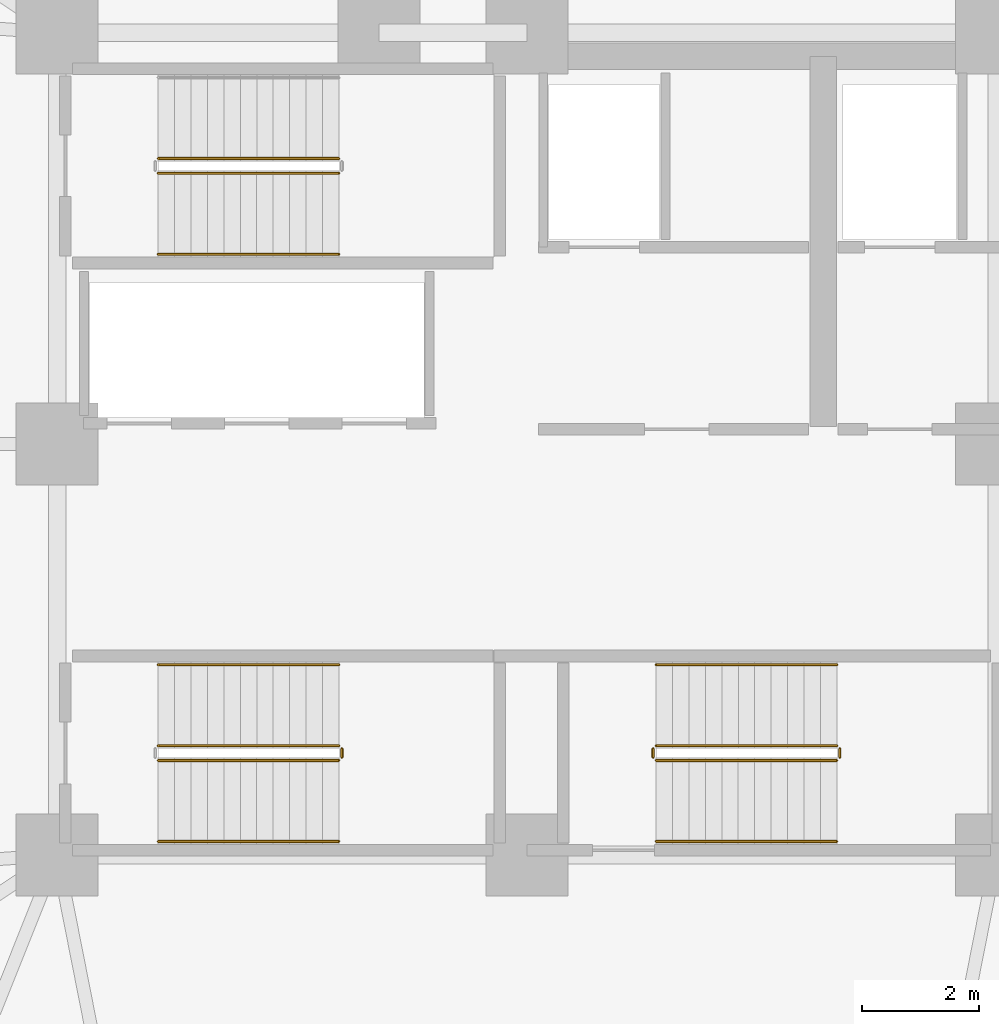
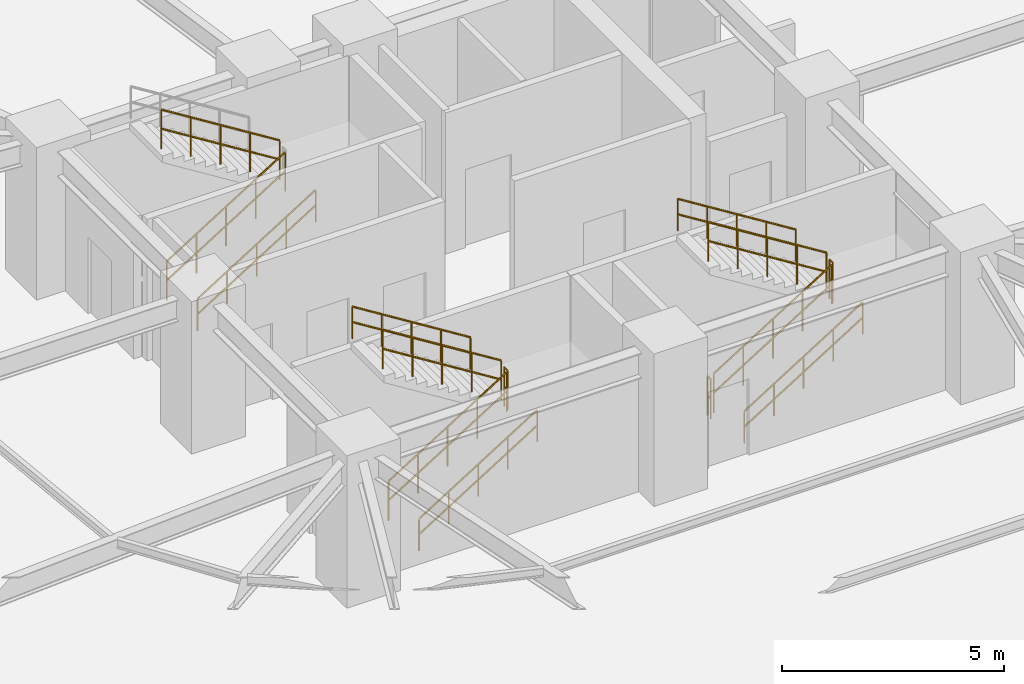
# One storey, part 18 of 20: 14 railings.
"""IFC4 building model written with IfcOpenShell, lengths in metres."""

from ifc_helpers import new_model, si_unit, direction, frame, origin, place, context, subcontext, project, spatial, polyline, outline, extrude, material, type_object, element, save


model = new_model("IFC4")

# Units and contexts
model_context = context("Model", 3, precision=1e-05, world=origin(), true_north=direction((0.0, 1.0)))
body_context = subcontext(model_context, "Body", "Model", "MODEL_VIEW")
ifc_project = project(units=[si_unit("LENGTHUNIT", "METRE"), si_unit("AREAUNIT", "SQUARE_METRE"), si_unit("VOLUMEUNIT", "CUBIC_METRE"), si_unit("PLANEANGLEUNIT", "RADIAN"), si_unit("MASSUNIT", "GRAM", prefix="KILO")], contexts=[model_context])

# Site, building, storey
site_placement = place(None, origin())
site = spatial("IfcSite", under=ifc_project, at=site_placement, CompositionType="ELEMENT")
building_placement = place(site_placement, origin())
building = spatial("IfcBuilding", under=site, at=building_placement, Name="Kelanora Arch Commons", CompositionType="ELEMENT")
storey_placement = place(building_placement, frame((0.0, 0.0, -4.199951171875)))
storey = spatial("IfcBuildingStorey", under=building, at=storey_placement, Name="B01", CompositionType="ELEMENT", Elevation=-4.199951171875)

# Railings
ifc_material_1 = material(Name="Painted steel stair well guard", Category="steel")
railing_type_1 = type_object("IfcRailingType", Name="RAIL-STAIR-GRD", PredefinedType="GUARDRAIL", material=ifc_material_1)
railing_1_placement = place(storey_placement, frame((67.719970703125, 62.610107421875, 0.175048828125)))
element("IfcRailing", 1, at=railing_1_placement, inside=storey, type_object=railing_type_1, Name="B01 ST-T1 stair guard 1", PredefinedType="GUARDRAIL", context=body_context, shape_type="SweptSolid", body=[
    extrude(outline(polyline([(0.02392578125, 0.0), (0.011962890625, 0.020751953125), (-0.011962890625, 0.020751953125), (-0.02392578125, 0.0), (-0.011962890625, -0.020751953125), (0.011962890625, -0.020751953125), (0.02392578125, 0.0)])), frame((0.0, 0.0, 1.076171875), z_axis=(0.848028513186, 0.0, 0.529950602248), x_axis=(0.0, 1.0, 0.0)), (0.0, 0.0, 1.0), 3.632080078125),
    extrude(outline(polyline([(0.02392578125, 0.0), (0.011962890625, 0.020751953125), (-0.011962890625, 0.020751953125), (-0.02392578125, 0.0), (-0.011962890625, -0.020751953125), (0.011962890625, -0.020751953125), (0.02392578125, 0.0)])), frame((0.0, 0.0, 0.550048828125), z_axis=(0.848028513186, 0.0, 0.529950602248), x_axis=(0.0, 1.0, 0.0)), (0.0, 0.0, 1.0), 3.632080078125),
    extrude(outline(polyline([(0.02099609375, 0.0), (0.010498046875, 0.01806640625), (-0.010498046875, 0.01806640625), (-0.02099609375, 0.0), (-0.010498046875, -0.01806640625), (0.010498046875, -0.01806640625), (0.02099609375, 0.0)])), origin(), (0.0, 0.0, 1.0), 1.052001953125),
    extrude(outline(polyline([(0.02099609375, 0.0), (0.010498046875, 0.01806640625), (-0.010498046875, 0.01806640625), (-0.02099609375, 0.0), (-0.010498046875, -0.01806640625), (0.010498046875, -0.01806640625), (0.02099609375, 0.0)])), frame((0.77001953125, 0.0, 0.481201171875)), (0.0, 0.0, 1.0), 1.052001953125),
    extrude(outline(polyline([(0.02099609375, 0.0), (0.010498046875, 0.01806640625), (-0.010498046875, 0.01806640625), (-0.02099609375, 0.0), (-0.010498046875, -0.01806640625), (0.010498046875, -0.01806640625), (0.02099609375, 0.0)])), frame((1.5400390625, 0.0, 0.96240234375)), (0.0, 0.0, 1.0), 1.052001953125),
    extrude(outline(polyline([(0.02099609375, 0.0), (0.010498046875, 0.01806640625), (-0.010498046875, 0.01806640625), (-0.02099609375, 0.0), (-0.010498046875, -0.01806640625), (0.010498046875, -0.01806640625), (0.02099609375, 0.0)])), frame((2.31005859375, 0.0, 1.443603515625)), (0.0, 0.0, 1.0), 1.052001953125),
    extrude(outline(polyline([(0.02099609375, 0.0), (0.010498046875, 0.01806640625), (-0.010498046875, 0.01806640625), (-0.02099609375, 0.0), (-0.010498046875, -0.01806640625), (0.010498046875, -0.01806640625), (0.02099609375, 0.0)])), frame((3.080078125, 0.0, 1.9248046875)), (0.0, 0.0, 1.0), 1.052001953125),
])
railing_2_placement = place(storey_placement, frame((70.800048828125, 62.860107421875, 2.27490234375)))
element("IfcRailing", 2, at=railing_2_placement, inside=storey, type_object=railing_type_1, Name="B01 ST-T1 stair guard 3", PredefinedType="GUARDRAIL", context=body_context, shape_type="SweptSolid", body=[
    extrude(outline(polyline([(0.02392578125, 0.0), (0.011962890625, 0.020751953125), (-0.011962890625, 0.020751953125), (-0.02392578125, 0.0), (-0.011962890625, -0.020751953125), (0.011962890625, -0.020751953125), (0.02392578125, 0.0)])), frame((0.0, 0.0, 1.076171875), z_axis=(-0.847998304005, 0.0, 0.529998940003), x_axis=(0.0, -1.0, 0.0)), (0.0, 0.0, 1.0), 3.632080078125),
    extrude(outline(polyline([(0.02392578125, 0.0), (0.011962890625, 0.020751953125), (-0.011962890625, 0.020751953125), (-0.02392578125, 0.0), (-0.011962890625, -0.020751953125), (0.011962890625, -0.020751953125), (0.02392578125, 0.0)])), frame((0.0, 0.0, 0.550048828125), z_axis=(-0.847998304005, 0.0, 0.529998940003), x_axis=(0.0, -1.0, 0.0)), (0.0, 0.0, 1.0), 3.632080078125),
    extrude(outline(polyline([(0.02099609375, 0.0), (0.010498046875, 0.01806640625), (-0.010498046875, 0.01806640625), (-0.02099609375, 0.0), (-0.010498046875, -0.01806640625), (0.010498046875, -0.01806640625), (0.02099609375, 0.0)])), origin(), (0.0, 0.0, 1.0), 1.052001953125),
    extrude(outline(polyline([(0.02099609375, 0.0), (0.010498046875, 0.01806640625), (-0.010498046875, 0.01806640625), (-0.02099609375, 0.0), (-0.010498046875, -0.01806640625), (0.010498046875, -0.01806640625), (0.02099609375, 0.0)])), frame((-0.77001953125, 0.0, 0.481201171875)), (0.0, 0.0, 1.0), 1.052001953125),
    extrude(outline(polyline([(0.02099609375, 0.0), (0.010498046875, 0.01806640625), (-0.010498046875, 0.01806640625), (-0.02099609375, 0.0), (-0.010498046875, -0.01806640625), (0.010498046875, -0.01806640625), (0.02099609375, 0.0)])), frame((-1.5400390625, 0.0, 0.96240234375)), (0.0, 0.0, 1.0), 1.052001953125),
    extrude(outline(polyline([(0.02099609375, 0.0), (0.010498046875, 0.01806640625), (-0.010498046875, 0.01806640625), (-0.02099609375, 0.0), (-0.010498046875, -0.01806640625), (0.010498046875, -0.01806640625), (0.02099609375, 0.0)])), frame((-2.31005859375, 0.0, 1.44384765625)), (0.0, 0.0, 1.0), 1.052001953125),
    extrude(outline(polyline([(0.02099609375, 0.0), (0.010498046875, 0.01806640625), (-0.010498046875, 0.01806640625), (-0.02099609375, 0.0), (-0.010498046875, -0.01806640625), (0.010498046875, -0.01806640625), (0.02099609375, 0.0)])), frame((-3.080078125, 0.0, 1.925048828125)), (0.0, 0.0, 1.0), 1.052001953125),
])
railing_3_placement = place(storey_placement, frame((76.199951171875, 52.610107421875, 0.175048828125)))
element("IfcRailing", 3, at=railing_3_placement, inside=storey, type_object=railing_type_1, Name="B01 ST-T2 stair guard 1", PredefinedType="GUARDRAIL", context=body_context, shape_type="SweptSolid", body=[
    extrude(outline(polyline([(0.02392578125, 0.0), (0.011962890625, 0.020751953125), (-0.011962890625, 0.020751953125), (-0.02392578125, 0.0), (-0.011962890625, -0.020751953125), (0.011962890625, -0.020751953125), (0.02392578125, 0.0)])), frame((0.0, 0.0, 1.076171875), z_axis=(0.848028513186, 0.0, 0.529950602248), x_axis=(0.0, 1.0, 0.0)), (0.0, 0.0, 1.0), 3.632080078125),
    extrude(outline(polyline([(0.02392578125, 0.0), (0.011962890625, 0.020751953125), (-0.011962890625, 0.020751953125), (-0.02392578125, 0.0), (-0.011962890625, -0.020751953125), (0.011962890625, -0.020751953125), (0.02392578125, 0.0)])), frame((0.0, 0.0, 0.550048828125), z_axis=(0.848028513186, 0.0, 0.529950602248), x_axis=(0.0, 1.0, 0.0)), (0.0, 0.0, 1.0), 3.632080078125),
    extrude(outline(polyline([(0.02099609375, 0.0), (0.010498046875, 0.01806640625), (-0.010498046875, 0.01806640625), (-0.02099609375, 0.0), (-0.010498046875, -0.01806640625), (0.010498046875, -0.01806640625), (0.02099609375, 0.0)])), origin(), (0.0, 0.0, 1.0), 1.052001953125),
    extrude(outline(polyline([(0.02099609375, 0.0), (0.010498046875, 0.01806640625), (-0.010498046875, 0.01806640625), (-0.02099609375, 0.0), (-0.010498046875, -0.01806640625), (0.010498046875, -0.01806640625), (0.02099609375, 0.0)])), frame((0.77001953125, 0.0, 0.481201171875)), (0.0, 0.0, 1.0), 1.052001953125),
    extrude(outline(polyline([(0.02099609375, 0.0), (0.010498046875, 0.01806640625), (-0.010498046875, 0.01806640625), (-0.02099609375, 0.0), (-0.010498046875, -0.01806640625), (0.010498046875, -0.01806640625), (0.02099609375, 0.0)])), frame((1.5400390625, 0.0, 0.96240234375)), (0.0, 0.0, 1.0), 1.052001953125),
    extrude(outline(polyline([(0.02099609375, 0.0), (0.010498046875, 0.01806640625), (-0.010498046875, 0.01806640625), (-0.02099609375, 0.0), (-0.010498046875, -0.01806640625), (0.010498046875, -0.01806640625), (0.02099609375, 0.0)])), frame((2.31005859375, 0.0, 1.443603515625)), (0.0, 0.0, 1.0), 1.052001953125),
    extrude(outline(polyline([(0.02099609375, 0.0), (0.010498046875, 0.01806640625), (-0.010498046875, 0.01806640625), (-0.02099609375, 0.0), (-0.010498046875, -0.01806640625), (0.010498046875, -0.01806640625), (0.02099609375, 0.0)])), frame((3.080078125, 0.0, 1.9248046875)), (0.0, 0.0, 1.0), 1.052001953125),
])
railing_4_placement = place(storey_placement, frame((79.330078125, 52.659912109375, 2.099853515625)))
element("IfcRailing", 4, at=railing_4_placement, inside=storey, type_object=railing_type_1, Name="B01 ST-T2 stair guard 2", PredefinedType="GUARDRAIL", context=body_context, shape_type="SweptSolid", body=[
    extrude(outline(polyline([(0.02392578125, 0.0), (0.011962890625, 0.020751953125), (-0.011962890625, 0.020751953125), (-0.02392578125, 0.0), (-0.011962890625, -0.020751953125), (0.011962890625, -0.020751953125), (0.02392578125, 0.0)])), frame((0.0, 0.0, 1.076171875), z_axis=(0.0, 1.0, 0.0), x_axis=(-1.0, 0.0, 0.0)), (0.0, 0.0, 1.0), 0.150146484375),
    extrude(outline(polyline([(0.02392578125, 0.0), (0.011962890625, 0.020751953125), (-0.011962890625, 0.020751953125), (-0.02392578125, 0.0), (-0.011962890625, -0.020751953125), (0.011962890625, -0.020751953125), (0.02392578125, 0.0)])), frame((0.0, 0.0, 0.550048828125), z_axis=(0.0, 1.0, 0.0), x_axis=(-1.0, 0.0, 0.0)), (0.0, 0.0, 1.0), 0.150146484375),
    extrude(outline(polyline([(0.02099609375, 0.0), (0.010498046875, 0.01806640625), (-0.010498046875, 0.01806640625), (-0.02099609375, 0.0), (-0.010498046875, -0.01806640625), (0.010498046875, -0.01806640625), (0.02099609375, 0.0)])), origin(), (0.0, 0.0, 1.0), 1.052001953125),
    extrude(outline(polyline([(0.02099609375, 0.0), (0.010498046875, 0.01806640625), (-0.010498046875, 0.01806640625), (-0.02099609375, 0.0), (-0.010498046875, -0.01806640625), (0.010498046875, -0.01806640625), (0.02099609375, 0.0)])), frame((0.0, 0.150146484375, 0.0)), (0.0, 0.0, 1.0), 1.052001953125),
])
railing_5_placement = place(storey_placement, frame((79.280029296875, 52.860107421875, 2.27490234375)))
element("IfcRailing", 5, at=railing_5_placement, inside=storey, type_object=railing_type_1, Name="B01 ST-T2 stair guard 3", PredefinedType="GUARDRAIL", context=body_context, shape_type="SweptSolid", body=[
    extrude(outline(polyline([(0.02392578125, 0.0), (0.011962890625, 0.020751953125), (-0.011962890625, 0.020751953125), (-0.02392578125, 0.0), (-0.011962890625, -0.020751953125), (0.011962890625, -0.020751953125), (0.02392578125, 0.0)])), frame((0.0, 0.0, 1.076171875), z_axis=(-0.847998304005, 0.0, 0.529998940003), x_axis=(0.0, -1.0, 0.0)), (0.0, 0.0, 1.0), 3.632080078125),
    extrude(outline(polyline([(0.02392578125, 0.0), (0.011962890625, 0.020751953125), (-0.011962890625, 0.020751953125), (-0.02392578125, 0.0), (-0.011962890625, -0.020751953125), (0.011962890625, -0.020751953125), (0.02392578125, 0.0)])), frame((0.0, 0.0, 0.550048828125), z_axis=(-0.847998304005, 0.0, 0.529998940003), x_axis=(0.0, -1.0, 0.0)), (0.0, 0.0, 1.0), 3.632080078125),
    extrude(outline(polyline([(0.02099609375, 0.0), (0.010498046875, 0.01806640625), (-0.010498046875, 0.01806640625), (-0.02099609375, 0.0), (-0.010498046875, -0.01806640625), (0.010498046875, -0.01806640625), (0.02099609375, 0.0)])), origin(), (0.0, 0.0, 1.0), 1.052001953125),
    extrude(outline(polyline([(0.02099609375, 0.0), (0.010498046875, 0.01806640625), (-0.010498046875, 0.01806640625), (-0.02099609375, 0.0), (-0.010498046875, -0.01806640625), (0.010498046875, -0.01806640625), (0.02099609375, 0.0)])), frame((-0.77001953125, 0.0, 0.481201171875)), (0.0, 0.0, 1.0), 1.052001953125),
    extrude(outline(polyline([(0.02099609375, 0.0), (0.010498046875, 0.01806640625), (-0.010498046875, 0.01806640625), (-0.02099609375, 0.0), (-0.010498046875, -0.01806640625), (0.010498046875, -0.01806640625), (0.02099609375, 0.0)])), frame((-1.5400390625, 0.0, 0.96240234375)), (0.0, 0.0, 1.0), 1.052001953125),
    extrude(outline(polyline([(0.02099609375, 0.0), (0.010498046875, 0.01806640625), (-0.010498046875, 0.01806640625), (-0.02099609375, 0.0), (-0.010498046875, -0.01806640625), (0.010498046875, -0.01806640625), (0.02099609375, 0.0)])), frame((-2.31005859375, 0.0, 1.44384765625)), (0.0, 0.0, 1.0), 1.052001953125),
    extrude(outline(polyline([(0.02099609375, 0.0), (0.010498046875, 0.01806640625), (-0.010498046875, 0.01806640625), (-0.02099609375, 0.0), (-0.010498046875, -0.01806640625), (0.010498046875, -0.01806640625), (0.02099609375, 0.0)])), frame((-3.080078125, 0.0, 1.925048828125)), (0.0, 0.0, 1.0), 1.052001953125),
])
railing_6_placement = place(storey_placement, frame((76.14990234375, 52.659912109375, 0.0)))
element("IfcRailing", 6, at=railing_6_placement, inside=storey, type_object=railing_type_1, Name="B01 ST-T2 stair guard 4", PredefinedType="GUARDRAIL", context=body_context, shape_type="SweptSolid", body=[
    extrude(outline(polyline([(0.02392578125, 0.0), (0.011962890625, 0.020751953125), (-0.011962890625, 0.020751953125), (-0.02392578125, 0.0), (-0.011962890625, -0.020751953125), (0.011962890625, -0.020751953125), (0.02392578125, 0.0)])), frame((0.0, 0.0, 1.076171875), z_axis=(0.0, 1.0, 0.0), x_axis=(-1.0, 0.0, 0.0)), (0.0, 0.0, 1.0), 0.150146484375),
    extrude(outline(polyline([(0.02392578125, 0.0), (0.011962890625, 0.020751953125), (-0.011962890625, 0.020751953125), (-0.02392578125, 0.0), (-0.011962890625, -0.020751953125), (0.011962890625, -0.020751953125), (0.02392578125, 0.0)])), frame((0.0, 0.0, 0.550048828125), z_axis=(0.0, 1.0, 0.0), x_axis=(-1.0, 0.0, 0.0)), (0.0, 0.0, 1.0), 0.150146484375),
    extrude(outline(polyline([(0.02099609375, 0.0), (0.010498046875, 0.01806640625), (-0.010498046875, 0.01806640625), (-0.02099609375, 0.0), (-0.010498046875, -0.01806640625), (0.010498046875, -0.01806640625), (0.02099609375, 0.0)])), origin(), (0.0, 0.0, 1.0), 1.052001953125),
    extrude(outline(polyline([(0.02099609375, 0.0), (0.010498046875, 0.01806640625), (-0.010498046875, 0.01806640625), (-0.02099609375, 0.0), (-0.010498046875, -0.01806640625), (0.010498046875, -0.01806640625), (0.02099609375, 0.0)])), frame((0.0, 0.150146484375, 0.0)), (0.0, 0.0, 1.0), 1.052001953125),
])
railing_7_placement = place(storey_placement, frame((67.719970703125, 52.610107421875, 0.175048828125)))
element("IfcRailing", 7, at=railing_7_placement, inside=storey, type_object=railing_type_1, Name="B01 ST-T3 stair guard 1", PredefinedType="GUARDRAIL", context=body_context, shape_type="SweptSolid", body=[
    extrude(outline(polyline([(0.02392578125, 0.0), (0.011962890625, 0.020751953125), (-0.011962890625, 0.020751953125), (-0.02392578125, 0.0), (-0.011962890625, -0.020751953125), (0.011962890625, -0.020751953125), (0.02392578125, 0.0)])), frame((0.0, 0.0, 1.076171875), z_axis=(0.848028513186, 0.0, 0.529950602248), x_axis=(0.0, 1.0, 0.0)), (0.0, 0.0, 1.0), 3.632080078125),
    extrude(outline(polyline([(0.02392578125, 0.0), (0.011962890625, 0.020751953125), (-0.011962890625, 0.020751953125), (-0.02392578125, 0.0), (-0.011962890625, -0.020751953125), (0.011962890625, -0.020751953125), (0.02392578125, 0.0)])), frame((0.0, 0.0, 0.550048828125), z_axis=(0.848028513186, 0.0, 0.529950602248), x_axis=(0.0, 1.0, 0.0)), (0.0, 0.0, 1.0), 3.632080078125),
    extrude(outline(polyline([(0.02099609375, 0.0), (0.010498046875, 0.01806640625), (-0.010498046875, 0.01806640625), (-0.02099609375, 0.0), (-0.010498046875, -0.01806640625), (0.010498046875, -0.01806640625), (0.02099609375, 0.0)])), origin(), (0.0, 0.0, 1.0), 1.052001953125),
    extrude(outline(polyline([(0.02099609375, 0.0), (0.010498046875, 0.01806640625), (-0.010498046875, 0.01806640625), (-0.02099609375, 0.0), (-0.010498046875, -0.01806640625), (0.010498046875, -0.01806640625), (0.02099609375, 0.0)])), frame((0.77001953125, 0.0, 0.481201171875)), (0.0, 0.0, 1.0), 1.052001953125),
    extrude(outline(polyline([(0.02099609375, 0.0), (0.010498046875, 0.01806640625), (-0.010498046875, 0.01806640625), (-0.02099609375, 0.0), (-0.010498046875, -0.01806640625), (0.010498046875, -0.01806640625), (0.02099609375, 0.0)])), frame((1.5400390625, 0.0, 0.96240234375)), (0.0, 0.0, 1.0), 1.052001953125),
    extrude(outline(polyline([(0.02099609375, 0.0), (0.010498046875, 0.01806640625), (-0.010498046875, 0.01806640625), (-0.02099609375, 0.0), (-0.010498046875, -0.01806640625), (0.010498046875, -0.01806640625), (0.02099609375, 0.0)])), frame((2.31005859375, 0.0, 1.443603515625)), (0.0, 0.0, 1.0), 1.052001953125),
    extrude(outline(polyline([(0.02099609375, 0.0), (0.010498046875, 0.01806640625), (-0.010498046875, 0.01806640625), (-0.02099609375, 0.0), (-0.010498046875, -0.01806640625), (0.010498046875, -0.01806640625), (0.02099609375, 0.0)])), frame((3.080078125, 0.0, 1.9248046875)), (0.0, 0.0, 1.0), 1.052001953125),
])
railing_8_placement = place(storey_placement, frame((70.85009765625, 52.659912109375, 2.099853515625)))
element("IfcRailing", 8, at=railing_8_placement, inside=storey, type_object=railing_type_1, Name="B01 ST-T3 stair guard 2", PredefinedType="GUARDRAIL", context=body_context, shape_type="SweptSolid", body=[
    extrude(outline(polyline([(0.02392578125, 0.0), (0.011962890625, 0.020751953125), (-0.011962890625, 0.020751953125), (-0.02392578125, 0.0), (-0.011962890625, -0.020751953125), (0.011962890625, -0.020751953125), (0.02392578125, 0.0)])), frame((0.0, 0.0, 1.076171875), z_axis=(0.0, 1.0, 0.0), x_axis=(-1.0, 0.0, 0.0)), (0.0, 0.0, 1.0), 0.150146484375),
    extrude(outline(polyline([(0.02392578125, 0.0), (0.011962890625, 0.020751953125), (-0.011962890625, 0.020751953125), (-0.02392578125, 0.0), (-0.011962890625, -0.020751953125), (0.011962890625, -0.020751953125), (0.02392578125, 0.0)])), frame((0.0, 0.0, 0.550048828125), z_axis=(0.0, 1.0, 0.0), x_axis=(-1.0, 0.0, 0.0)), (0.0, 0.0, 1.0), 0.150146484375),
    extrude(outline(polyline([(0.02099609375, 0.0), (0.010498046875, 0.01806640625), (-0.010498046875, 0.01806640625), (-0.02099609375, 0.0), (-0.010498046875, -0.01806640625), (0.010498046875, -0.01806640625), (0.02099609375, 0.0)])), origin(), (0.0, 0.0, 1.0), 1.052001953125),
    extrude(outline(polyline([(0.02099609375, 0.0), (0.010498046875, 0.01806640625), (-0.010498046875, 0.01806640625), (-0.02099609375, 0.0), (-0.010498046875, -0.01806640625), (0.010498046875, -0.01806640625), (0.02099609375, 0.0)])), frame((0.0, 0.150146484375, 0.0)), (0.0, 0.0, 1.0), 1.052001953125),
])
railing_9_placement = place(storey_placement, frame((70.800048828125, 52.860107421875, 2.27490234375)))
element("IfcRailing", 9, at=railing_9_placement, inside=storey, type_object=railing_type_1, Name="B01 ST-T3 stair guard 3", PredefinedType="GUARDRAIL", context=body_context, shape_type="SweptSolid", body=[
    extrude(outline(polyline([(0.02392578125, 0.0), (0.011962890625, 0.020751953125), (-0.011962890625, 0.020751953125), (-0.02392578125, 0.0), (-0.011962890625, -0.020751953125), (0.011962890625, -0.020751953125), (0.02392578125, 0.0)])), frame((0.0, 0.0, 1.076171875), z_axis=(-0.847998304005, 0.0, 0.529998940003), x_axis=(0.0, -1.0, 0.0)), (0.0, 0.0, 1.0), 3.632080078125),
    extrude(outline(polyline([(0.02392578125, 0.0), (0.011962890625, 0.020751953125), (-0.011962890625, 0.020751953125), (-0.02392578125, 0.0), (-0.011962890625, -0.020751953125), (0.011962890625, -0.020751953125), (0.02392578125, 0.0)])), frame((0.0, 0.0, 0.550048828125), z_axis=(-0.847998304005, 0.0, 0.529998940003), x_axis=(0.0, -1.0, 0.0)), (0.0, 0.0, 1.0), 3.632080078125),
    extrude(outline(polyline([(0.02099609375, 0.0), (0.010498046875, 0.01806640625), (-0.010498046875, 0.01806640625), (-0.02099609375, 0.0), (-0.010498046875, -0.01806640625), (0.010498046875, -0.01806640625), (0.02099609375, 0.0)])), origin(), (0.0, 0.0, 1.0), 1.052001953125),
    extrude(outline(polyline([(0.02099609375, 0.0), (0.010498046875, 0.01806640625), (-0.010498046875, 0.01806640625), (-0.02099609375, 0.0), (-0.010498046875, -0.01806640625), (0.010498046875, -0.01806640625), (0.02099609375, 0.0)])), frame((-0.77001953125, 0.0, 0.481201171875)), (0.0, 0.0, 1.0), 1.052001953125),
    extrude(outline(polyline([(0.02099609375, 0.0), (0.010498046875, 0.01806640625), (-0.010498046875, 0.01806640625), (-0.02099609375, 0.0), (-0.010498046875, -0.01806640625), (0.010498046875, -0.01806640625), (0.02099609375, 0.0)])), frame((-1.5400390625, 0.0, 0.96240234375)), (0.0, 0.0, 1.0), 1.052001953125),
    extrude(outline(polyline([(0.02099609375, 0.0), (0.010498046875, 0.01806640625), (-0.010498046875, 0.01806640625), (-0.02099609375, 0.0), (-0.010498046875, -0.01806640625), (0.010498046875, -0.01806640625), (0.02099609375, 0.0)])), frame((-2.31005859375, 0.0, 1.44384765625)), (0.0, 0.0, 1.0), 1.052001953125),
    extrude(outline(polyline([(0.02099609375, 0.0), (0.010498046875, 0.01806640625), (-0.010498046875, 0.01806640625), (-0.02099609375, 0.0), (-0.010498046875, -0.01806640625), (0.010498046875, -0.01806640625), (0.02099609375, 0.0)])), frame((-3.080078125, 0.0, 1.925048828125)), (0.0, 0.0, 1.0), 1.052001953125),
])
ifc_material_2 = material(Name="Brushed stainless steel stair handrail", Category="steel")
railing_type_2 = type_object("IfcRailingType", Name="RAIL-STAIR-HND", PredefinedType="HANDRAIL", material=ifc_material_2)
railing_10_placement = place(storey_placement, frame((67.719970703125, 61.22998046875, 0.175048828125)))
element("IfcRailing", 10, at=railing_10_placement, inside=storey, type_object=railing_type_2, Name="B01 ST-T1 stair handrail 1", PredefinedType="HANDRAIL", context=body_context, shape_type="SweptSolid", body=[
    extrude(outline(polyline([(0.02392578125, 0.0), (0.011962890625, 0.020751953125), (-0.011962890625, 0.020751953125), (-0.02392578125, 0.0), (-0.011962890625, -0.020751953125), (0.011962890625, -0.020751953125), (0.02392578125, 0.0)])), frame((0.0, 0.0, 0.8759765625), z_axis=(0.848028513186, 0.0, 0.529950602248), x_axis=(0.0, 1.0, 0.0)), (0.0, 0.0, 1.0), 3.632080078125),
    extrude(outline(polyline([(0.02392578125, 0.0), (0.011962890625, 0.020751953125), (-0.011962890625, 0.020751953125), (-0.02392578125, 0.0), (-0.011962890625, -0.020751953125), (0.011962890625, -0.020751953125), (0.02392578125, 0.0)])), frame((0.0, 0.0, 0.449951171875), z_axis=(0.848028513186, 0.0, 0.529950602248), x_axis=(0.0, 1.0, 0.0)), (0.0, 0.0, 1.0), 3.632080078125),
    extrude(outline(polyline([(0.02099609375, 0.0), (0.010498046875, 0.01806640625), (-0.010498046875, 0.01806640625), (-0.02099609375, 0.0), (-0.010498046875, -0.01806640625), (0.010498046875, -0.01806640625), (0.02099609375, 0.0)])), origin(), (0.0, 0.0, 1.0), 0.851806640625),
    extrude(outline(polyline([(0.02099609375, 0.0), (0.010498046875, 0.01806640625), (-0.010498046875, 0.01806640625), (-0.02099609375, 0.0), (-0.010498046875, -0.01806640625), (0.010498046875, -0.01806640625), (0.02099609375, 0.0)])), frame((0.77001953125, 0.0, 0.481201171875)), (0.0, 0.0, 1.0), 0.851806640625),
    extrude(outline(polyline([(0.02099609375, 0.0), (0.010498046875, 0.01806640625), (-0.010498046875, 0.01806640625), (-0.02099609375, 0.0), (-0.010498046875, -0.01806640625), (0.010498046875, -0.01806640625), (0.02099609375, 0.0)])), frame((1.5400390625, 0.0, 0.96240234375)), (0.0, 0.0, 1.0), 0.851806640625),
    extrude(outline(polyline([(0.02099609375, 0.0), (0.010498046875, 0.01806640625), (-0.010498046875, 0.01806640625), (-0.02099609375, 0.0), (-0.010498046875, -0.01806640625), (0.010498046875, -0.01806640625), (0.02099609375, 0.0)])), frame((2.31005859375, 0.0, 1.443603515625)), (0.0, 0.0, 1.0), 0.851806640625),
    extrude(outline(polyline([(0.02099609375, 0.0), (0.010498046875, 0.01806640625), (-0.010498046875, 0.01806640625), (-0.02099609375, 0.0), (-0.010498046875, -0.01806640625), (0.010498046875, -0.01806640625), (0.02099609375, 0.0)])), frame((3.080078125, 0.0, 1.9248046875)), (0.0, 0.0, 1.0), 0.851806640625),
])
railing_11_placement = place(storey_placement, frame((76.199951171875, 51.22998046875, 0.175048828125)))
element("IfcRailing", 11, at=railing_11_placement, inside=storey, type_object=railing_type_2, Name="B01 ST-T2 stair handrail 1", PredefinedType="HANDRAIL", context=body_context, shape_type="SweptSolid", body=[
    extrude(outline(polyline([(0.02392578125, 0.0), (0.011962890625, 0.020751953125), (-0.011962890625, 0.020751953125), (-0.02392578125, 0.0), (-0.011962890625, -0.020751953125), (0.011962890625, -0.020751953125), (0.02392578125, 0.0)])), frame((0.0, 0.0, 0.8759765625), z_axis=(0.848028513186, 0.0, 0.529950602248), x_axis=(0.0, 1.0, 0.0)), (0.0, 0.0, 1.0), 3.632080078125),
    extrude(outline(polyline([(0.02392578125, 0.0), (0.011962890625, 0.020751953125), (-0.011962890625, 0.020751953125), (-0.02392578125, 0.0), (-0.011962890625, -0.020751953125), (0.011962890625, -0.020751953125), (0.02392578125, 0.0)])), frame((0.0, 0.0, 0.449951171875), z_axis=(0.848028513186, 0.0, 0.529950602248), x_axis=(0.0, 1.0, 0.0)), (0.0, 0.0, 1.0), 3.632080078125),
    extrude(outline(polyline([(0.02099609375, 0.0), (0.010498046875, 0.01806640625), (-0.010498046875, 0.01806640625), (-0.02099609375, 0.0), (-0.010498046875, -0.01806640625), (0.010498046875, -0.01806640625), (0.02099609375, 0.0)])), origin(), (0.0, 0.0, 1.0), 0.851806640625),
    extrude(outline(polyline([(0.02099609375, 0.0), (0.010498046875, 0.01806640625), (-0.010498046875, 0.01806640625), (-0.02099609375, 0.0), (-0.010498046875, -0.01806640625), (0.010498046875, -0.01806640625), (0.02099609375, 0.0)])), frame((0.77001953125, 0.0, 0.481201171875)), (0.0, 0.0, 1.0), 0.851806640625),
    extrude(outline(polyline([(0.02099609375, 0.0), (0.010498046875, 0.01806640625), (-0.010498046875, 0.01806640625), (-0.02099609375, 0.0), (-0.010498046875, -0.01806640625), (0.010498046875, -0.01806640625), (0.02099609375, 0.0)])), frame((1.5400390625, 0.0, 0.96240234375)), (0.0, 0.0, 1.0), 0.851806640625),
    extrude(outline(polyline([(0.02099609375, 0.0), (0.010498046875, 0.01806640625), (-0.010498046875, 0.01806640625), (-0.02099609375, 0.0), (-0.010498046875, -0.01806640625), (0.010498046875, -0.01806640625), (0.02099609375, 0.0)])), frame((2.31005859375, 0.0, 1.443603515625)), (0.0, 0.0, 1.0), 0.851806640625),
    extrude(outline(polyline([(0.02099609375, 0.0), (0.010498046875, 0.01806640625), (-0.010498046875, 0.01806640625), (-0.02099609375, 0.0), (-0.010498046875, -0.01806640625), (0.010498046875, -0.01806640625), (0.02099609375, 0.0)])), frame((3.080078125, 0.0, 1.9248046875)), (0.0, 0.0, 1.0), 0.851806640625),
])
railing_12_placement = place(storey_placement, frame((79.280029296875, 54.239990234375, 2.27490234375)))
element("IfcRailing", 12, at=railing_12_placement, inside=storey, type_object=railing_type_2, Name="B01 ST-T2 stair handrail 2", PredefinedType="HANDRAIL", context=body_context, shape_type="SweptSolid", body=[
    extrude(outline(polyline([(0.02392578125, 0.0), (0.011962890625, 0.020751953125), (-0.011962890625, 0.020751953125), (-0.02392578125, 0.0), (-0.011962890625, -0.020751953125), (0.011962890625, -0.020751953125), (0.02392578125, 0.0)])), frame((0.0, 0.0, 0.8759765625), z_axis=(-0.847998304005, 0.0, 0.529998940003), x_axis=(0.0, -1.0, 0.0)), (0.0, 0.0, 1.0), 3.632080078125),
    extrude(outline(polyline([(0.02392578125, 0.0), (0.011962890625, 0.020751953125), (-0.011962890625, 0.020751953125), (-0.02392578125, 0.0), (-0.011962890625, -0.020751953125), (0.011962890625, -0.020751953125), (0.02392578125, 0.0)])), frame((0.0, 0.0, 0.449951171875), z_axis=(-0.847998304005, 0.0, 0.529998940003), x_axis=(0.0, -1.0, 0.0)), (0.0, 0.0, 1.0), 3.632080078125),
    extrude(outline(polyline([(0.02099609375, 0.0), (0.010498046875, 0.01806640625), (-0.010498046875, 0.01806640625), (-0.02099609375, 0.0), (-0.010498046875, -0.01806640625), (0.010498046875, -0.01806640625), (0.02099609375, 0.0)])), origin(), (0.0, 0.0, 1.0), 0.851806640625),
    extrude(outline(polyline([(0.02099609375, 0.0), (0.010498046875, 0.01806640625), (-0.010498046875, 0.01806640625), (-0.02099609375, 0.0), (-0.010498046875, -0.01806640625), (0.010498046875, -0.01806640625), (0.02099609375, 0.0)])), frame((-0.77001953125, 0.0, 0.481201171875)), (0.0, 0.0, 1.0), 0.851806640625),
    extrude(outline(polyline([(0.02099609375, 0.0), (0.010498046875, 0.01806640625), (-0.010498046875, 0.01806640625), (-0.02099609375, 0.0), (-0.010498046875, -0.01806640625), (0.010498046875, -0.01806640625), (0.02099609375, 0.0)])), frame((-1.5400390625, 0.0, 0.96240234375)), (0.0, 0.0, 1.0), 0.851806640625),
    extrude(outline(polyline([(0.02099609375, 0.0), (0.010498046875, 0.01806640625), (-0.010498046875, 0.01806640625), (-0.02099609375, 0.0), (-0.010498046875, -0.01806640625), (0.010498046875, -0.01806640625), (0.02099609375, 0.0)])), frame((-2.31005859375, 0.0, 1.44384765625)), (0.0, 0.0, 1.0), 0.851806640625),
    extrude(outline(polyline([(0.02099609375, 0.0), (0.010498046875, 0.01806640625), (-0.010498046875, 0.01806640625), (-0.02099609375, 0.0), (-0.010498046875, -0.01806640625), (0.010498046875, -0.01806640625), (0.02099609375, 0.0)])), frame((-3.080078125, 0.0, 1.925048828125)), (0.0, 0.0, 1.0), 0.851806640625),
])
railing_13_placement = place(storey_placement, frame((67.719970703125, 51.22998046875, 0.175048828125)))
element("IfcRailing", 13, at=railing_13_placement, inside=storey, type_object=railing_type_2, Name="B01 ST-T3 stair handrail 1", PredefinedType="HANDRAIL", context=body_context, shape_type="SweptSolid", body=[
    extrude(outline(polyline([(0.02392578125, 0.0), (0.011962890625, 0.020751953125), (-0.011962890625, 0.020751953125), (-0.02392578125, 0.0), (-0.011962890625, -0.020751953125), (0.011962890625, -0.020751953125), (0.02392578125, 0.0)])), frame((0.0, 0.0, 0.8759765625), z_axis=(0.848028513186, 0.0, 0.529950602248), x_axis=(0.0, 1.0, 0.0)), (0.0, 0.0, 1.0), 3.632080078125),
    extrude(outline(polyline([(0.02392578125, 0.0), (0.011962890625, 0.020751953125), (-0.011962890625, 0.020751953125), (-0.02392578125, 0.0), (-0.011962890625, -0.020751953125), (0.011962890625, -0.020751953125), (0.02392578125, 0.0)])), frame((0.0, 0.0, 0.449951171875), z_axis=(0.848028513186, 0.0, 0.529950602248), x_axis=(0.0, 1.0, 0.0)), (0.0, 0.0, 1.0), 3.632080078125),
    extrude(outline(polyline([(0.02099609375, 0.0), (0.010498046875, 0.01806640625), (-0.010498046875, 0.01806640625), (-0.02099609375, 0.0), (-0.010498046875, -0.01806640625), (0.010498046875, -0.01806640625), (0.02099609375, 0.0)])), origin(), (0.0, 0.0, 1.0), 0.851806640625),
    extrude(outline(polyline([(0.02099609375, 0.0), (0.010498046875, 0.01806640625), (-0.010498046875, 0.01806640625), (-0.02099609375, 0.0), (-0.010498046875, -0.01806640625), (0.010498046875, -0.01806640625), (0.02099609375, 0.0)])), frame((0.77001953125, 0.0, 0.481201171875)), (0.0, 0.0, 1.0), 0.851806640625),
    extrude(outline(polyline([(0.02099609375, 0.0), (0.010498046875, 0.01806640625), (-0.010498046875, 0.01806640625), (-0.02099609375, 0.0), (-0.010498046875, -0.01806640625), (0.010498046875, -0.01806640625), (0.02099609375, 0.0)])), frame((1.5400390625, 0.0, 0.96240234375)), (0.0, 0.0, 1.0), 0.851806640625),
    extrude(outline(polyline([(0.02099609375, 0.0), (0.010498046875, 0.01806640625), (-0.010498046875, 0.01806640625), (-0.02099609375, 0.0), (-0.010498046875, -0.01806640625), (0.010498046875, -0.01806640625), (0.02099609375, 0.0)])), frame((2.31005859375, 0.0, 1.443603515625)), (0.0, 0.0, 1.0), 0.851806640625),
    extrude(outline(polyline([(0.02099609375, 0.0), (0.010498046875, 0.01806640625), (-0.010498046875, 0.01806640625), (-0.02099609375, 0.0), (-0.010498046875, -0.01806640625), (0.010498046875, -0.01806640625), (0.02099609375, 0.0)])), frame((3.080078125, 0.0, 1.9248046875)), (0.0, 0.0, 1.0), 0.851806640625),
])
railing_14_placement = place(storey_placement, frame((70.800048828125, 54.239990234375, 2.27490234375)))
element("IfcRailing", 14, at=railing_14_placement, inside=storey, type_object=railing_type_2, Name="B01 ST-T3 stair handrail 2", PredefinedType="HANDRAIL", context=body_context, shape_type="SweptSolid", body=[
    extrude(outline(polyline([(0.02392578125, 0.0), (0.011962890625, 0.020751953125), (-0.011962890625, 0.020751953125), (-0.02392578125, 0.0), (-0.011962890625, -0.020751953125), (0.011962890625, -0.020751953125), (0.02392578125, 0.0)])), frame((0.0, 0.0, 0.8759765625), z_axis=(-0.847998304005, 0.0, 0.529998940003), x_axis=(0.0, -1.0, 0.0)), (0.0, 0.0, 1.0), 3.632080078125),
    extrude(outline(polyline([(0.02392578125, 0.0), (0.011962890625, 0.020751953125), (-0.011962890625, 0.020751953125), (-0.02392578125, 0.0), (-0.011962890625, -0.020751953125), (0.011962890625, -0.020751953125), (0.02392578125, 0.0)])), frame((0.0, 0.0, 0.449951171875), z_axis=(-0.847998304005, 0.0, 0.529998940003), x_axis=(0.0, -1.0, 0.0)), (0.0, 0.0, 1.0), 3.632080078125),
    extrude(outline(polyline([(0.02099609375, 0.0), (0.010498046875, 0.01806640625), (-0.010498046875, 0.01806640625), (-0.02099609375, 0.0), (-0.010498046875, -0.01806640625), (0.010498046875, -0.01806640625), (0.02099609375, 0.0)])), origin(), (0.0, 0.0, 1.0), 0.851806640625),
    extrude(outline(polyline([(0.02099609375, 0.0), (0.010498046875, 0.01806640625), (-0.010498046875, 0.01806640625), (-0.02099609375, 0.0), (-0.010498046875, -0.01806640625), (0.010498046875, -0.01806640625), (0.02099609375, 0.0)])), frame((-0.77001953125, 0.0, 0.481201171875)), (0.0, 0.0, 1.0), 0.851806640625),
    extrude(outline(polyline([(0.02099609375, 0.0), (0.010498046875, 0.01806640625), (-0.010498046875, 0.01806640625), (-0.02099609375, 0.0), (-0.010498046875, -0.01806640625), (0.010498046875, -0.01806640625), (0.02099609375, 0.0)])), frame((-1.5400390625, 0.0, 0.96240234375)), (0.0, 0.0, 1.0), 0.851806640625),
    extrude(outline(polyline([(0.02099609375, 0.0), (0.010498046875, 0.01806640625), (-0.010498046875, 0.01806640625), (-0.02099609375, 0.0), (-0.010498046875, -0.01806640625), (0.010498046875, -0.01806640625), (0.02099609375, 0.0)])), frame((-2.31005859375, 0.0, 1.44384765625)), (0.0, 0.0, 1.0), 0.851806640625),
    extrude(outline(polyline([(0.02099609375, 0.0), (0.010498046875, 0.01806640625), (-0.010498046875, 0.01806640625), (-0.02099609375, 0.0), (-0.010498046875, -0.01806640625), (0.010498046875, -0.01806640625), (0.02099609375, 0.0)])), frame((-3.080078125, 0.0, 1.925048828125)), (0.0, 0.0, 1.0), 0.851806640625),
])

save(model, "model.ifc")
